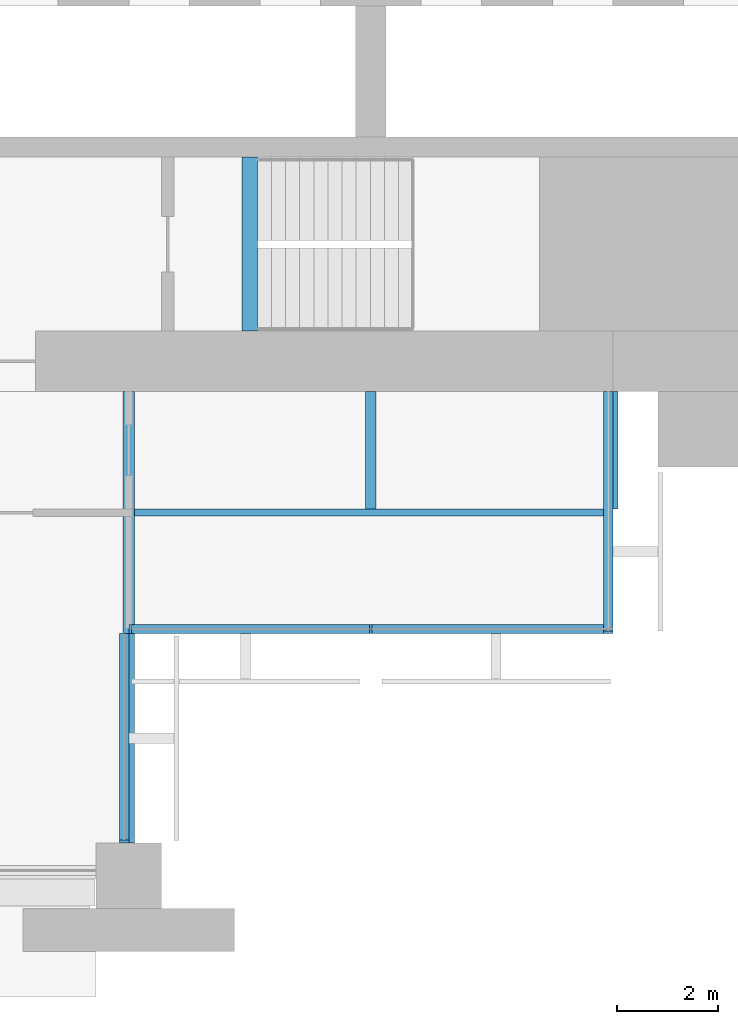
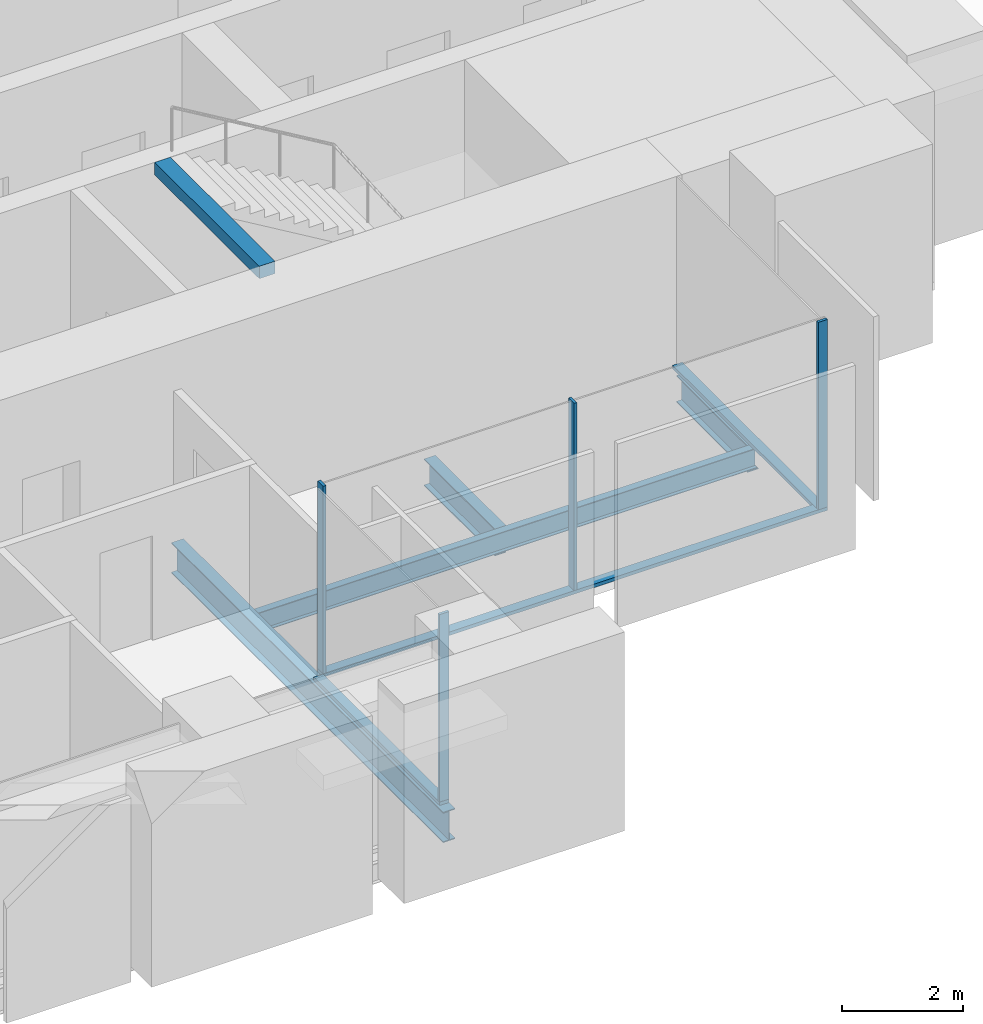
# One storey, part 4 of 15: 7 members, 5 beams, 3 elements without a shape of their own.
"""IFC4 building model written with IfcOpenShell, lengths in metres."""

import ifcopenshell
import ifcopenshell.guid

model = None  # the IFC model being written
_history = None  # IfcOwnerHistory: only IFC2X3 demands one
_inside = {}  # id of a spatial element -> (the spatial element, [elements in it])
_under = {}  # id of a project, library or spatial element -> (it, [spatial elements below it])
_declared = {}  # id of a project -> (the project, [libraries it declares])
_typed = {}  # id of a type object -> (the type object, [elements of that type])
_made_of = {}  # id of a material, layer set ... -> (it, [elements and type objects made of it])


def new_model(schema):
    """Start an empty IFC model of exactly this schema.

    Asked for "IFC4X3", IfcOpenShell would pick the latest addendum, in which some entities
    have other attributes; the version numbers below select the first issue.
    IFC2X3 requires an IfcOwnerHistory on every rooted entity: one is made here for all.
    """
    global model, _history
    if schema == "IFC4X3":
        model = ifcopenshell.file(schema_version=(4, 3, 0, 0))
    else:
        model = ifcopenshell.file(schema=schema)
    _inside.clear()
    _under.clear()
    _declared.clear()
    _typed.clear()
    _made_of.clear()
    _history = None
    if model.schema == "IFC2X3":
        org = make("IfcOrganization", Name="unknown")
        user = make(
            "IfcPersonAndOrganization",
            ThePerson=make("IfcPerson", FamilyName="unknown"),
            TheOrganization=org,
        )
        app = make(
            "IfcApplication",
            ApplicationDeveloper=org,
            Version="unknown",
            ApplicationFullName="unknown",
            ApplicationIdentifier="unknown",
        )
        _history = make(
            "IfcOwnerHistory",
            OwningUser=user,
            OwningApplication=app,
            ChangeAction="ADDED",
            CreationDate=0,
        )
    return model


def make(cls, **values):
    """One entity of the class cls with the attributes given. An attribute that is None is left unset."""
    return model.create_entity(
        cls, **{name: value for name, value in values.items() if value is not None}
    )


def rooted(cls, **values):
    """An entity with a GlobalId (a new one), such as an element, a storey or a relation."""
    return make(cls, GlobalId=ifcopenshell.guid.new(), OwnerHistory=_history, **values)


def si_unit(unit_type, name, prefix=None):
    """IfcSIUnit, for example si_unit("LENGTHUNIT", "METRE", prefix="MILLI")."""
    return make("IfcSIUnit", UnitType=unit_type, Prefix=prefix, Name=name)


def assignment(units):
    """IfcUnitAssignment: the units of a project."""
    return None if units is None else make("IfcUnitAssignment", Units=units)


def point(xyz):
    """IfcCartesianPoint."""
    return None if xyz is None else make("IfcCartesianPoint", Coordinates=xyz)


def direction(xyz):
    """IfcDirection."""
    return None if xyz is None else make("IfcDirection", DirectionRatios=xyz)


def frame(location, z_axis=None, x_axis=None):
    """IfcAxis2Placement3D, a coordinate frame: its origin and axes. An axis left out is left unset."""
    return make(
        "IfcAxis2Placement3D",
        Location=point(location),
        Axis=direction(z_axis),
        RefDirection=direction(x_axis),
    )


def frame_2d(location, x_axis=None):
    """IfcAxis2Placement2D, a coordinate frame in the plane: its origin and x axis."""
    return make(
        "IfcAxis2Placement2D", Location=point(location), RefDirection=direction(x_axis)
    )


def origin():
    """The frame at (0, 0, 0) with its axes left unset."""
    return frame((0.0, 0.0, 0.0))


def origin_2d():
    """The frame at (0, 0) in the plane with its x axis left unset."""
    return frame_2d((0.0, 0.0))


def place(relative_to, where):
    """IfcLocalPlacement: puts the frame where relative to a parent placement (None: the world)."""
    return make(
        "IfcLocalPlacement", PlacementRelTo=relative_to, RelativePlacement=where
    )


def context(
    kind, dimensions, precision=None, world=None, true_north=None, identifier=None
):
    """IfcGeometricRepresentationContext, for example the 3D "Model" context."""
    return make(
        "IfcGeometricRepresentationContext",
        ContextIdentifier=identifier,
        ContextType=kind,
        CoordinateSpaceDimension=dimensions,
        Precision=precision,
        WorldCoordinateSystem=world,
        TrueNorth=true_north,
    )


def subcontext(parent, identifier, kind, view, scale=None):
    """IfcGeometricRepresentationSubContext, for example "Body" below "Model"."""
    return make(
        "IfcGeometricRepresentationSubContext",
        ContextIdentifier=identifier,
        ContextType=kind,
        ParentContext=parent,
        TargetScale=scale,
        TargetView=view,
    )


def project(units=None, contexts=None):
    """IfcProject with its units and contexts."""
    return rooted(
        "IfcProject",
        Name="project",
        RepresentationContexts=contexts,
        UnitsInContext=assignment(units),
    )


def spatial(cls, under=None, at=None, **own):
    """A site, building, storey or space (cls), placed at a placement, below another one or the project."""
    s = rooted(cls, ObjectPlacement=at, **own)
    if under is not None:
        _under.setdefault(under.id(), (under, []))[1].append(s)
    return s


def profile(cls, at=None, kind="AREA", **sizes):
    """A parametric profile (cls). Its sizes go by their IFC names, for example OverallWidth=200.0."""
    return make(cls, ProfileType=kind, Position=at, **sizes)


def rectangle(**sizes):
    """IfcRectangleProfileDef."""
    return profile("IfcRectangleProfileDef", **sizes)


def i_section(**sizes):
    """IfcIShapeProfileDef."""
    return profile("IfcIShapeProfileDef", **sizes)


def extrude(swept, where, along, depth):
    """IfcExtrudedAreaSolid: the profile swept, set in the frame where, extruded along a direction by depth."""
    return make(
        "IfcExtrudedAreaSolid",
        SweptArea=swept,
        Position=where,
        ExtrudedDirection=direction(along),
        Depth=depth,
    )


def shape(context_of_items, identifier, shape_type, items):
    """IfcShapeRepresentation: the items that make up one representation, for example the "Body"."""
    return make(
        "IfcShapeRepresentation",
        ContextOfItems=context_of_items,
        RepresentationIdentifier=identifier,
        RepresentationType=shape_type,
        Items=items,
    )


def material(Name=None, Category=None):
    """IfcMaterial."""
    return make("IfcMaterial", Name=Name, Category=Category)


def material_profile(
    of_material, cross_section, Name=None, Category=None, Priority=None
):
    """IfcMaterialProfile: a cross section and its material."""
    return make(
        "IfcMaterialProfile",
        Name=Name,
        Material=of_material,
        Profile=cross_section,
        Priority=Priority,
        Category=Category,
    )


def profile_set(profiles, Name=None, composite=None):
    """IfcMaterialProfileSet."""
    return make(
        "IfcMaterialProfileSet",
        Name=Name,
        MaterialProfiles=profiles,
        CompositeProfile=composite,
    )


def made_of(thing, what):
    """Note that an element or type object is made of a material, layer set ...; save() writes the relation."""
    if what is not None:
        _made_of.setdefault(what.id(), (what, []))[1].append(thing)
    return thing


def type_object(cls, material=None, **own):
    """A type object (cls), such as IfcWallType, which elements share."""
    return made_of(rooted(cls, **own), material)


def element(
    cls,
    number,
    at=None,
    inside=None,
    cuts=None,
    type_object=None,
    material=None,
    context=None,
    identifier="Body",
    shape_type=None,
    held_by="IfcProductDefinitionShape",
    body=None,
    shapes=None,
    **own,
):
    """One element of the class cls, such as IfcWall. Its Tag is "e" and its number.

    at: its placement. inside: the storey or other place that contains it. cuts: it is an
    opening in that element (IfcRelVoidsElement). A single representation is given by context,
    identifier, shape_type and body (its items); several are given by shapes. held_by: the class
    of the entity that holds the representations. save() writes the other relations.
    """
    e = rooted(cls, Tag="e%d" % number, ObjectPlacement=at, **own)
    if body is not None:
        shapes = [shape(context, identifier, shape_type, body)]
    if shapes is not None:
        e.Representation = make(held_by, Representations=shapes)
    if inside is not None:
        _inside.setdefault(inside.id(), (inside, []))[1].append(e)
    if cuts is not None:
        rooted(
            "IfcRelVoidsElement", RelatingBuildingElement=cuts, RelatedOpeningElement=e
        )
    if type_object is not None:
        _typed.setdefault(type_object.id(), (type_object, []))[1].append(e)
    return made_of(e, material)


def aggregate(whole, parts):
    """IfcRelAggregates: a whole, such as a stair, and the parts it consists of."""
    return rooted("IfcRelAggregates", RelatingObject=whole, RelatedObjects=parts)


def save(model, path):
    """Write the relations noted so far, then the file.

    IfcRelAggregates (storeys below a building ...), IfcRelContainedInSpatialStructure (elements
    in a storey), IfcRelDefinesByType, IfcRelAssociatesMaterial and IfcRelDeclares: one each for
    every whole, place, type object, material and project.
    """
    for whole, parts in _under.values():
        aggregate(whole, parts)
    for where, things in _inside.values():
        rooted(
            "IfcRelContainedInSpatialStructure",
            RelatedElements=things,
            RelatingStructure=where,
        )
    for kind, things in _typed.values():
        rooted("IfcRelDefinesByType", RelatedObjects=things, RelatingType=kind)
    for what, things in _made_of.values():
        rooted("IfcRelAssociatesMaterial", RelatedObjects=things, RelatingMaterial=what)
    for by, libraries in _declared.values():
        rooted("IfcRelDeclares", RelatingContext=by, RelatedDefinitions=libraries)
    model.write(path)


model = new_model("IFC4")

# Units and contexts
model_context = context("Model", 3, precision=1e-05, world=origin(), true_north=direction((0.0, 1.0)))
body_context = subcontext(model_context, "Body", "Model", "MODEL_VIEW")
ifc_project = project(units=[si_unit("LENGTHUNIT", "METRE"), si_unit("AREAUNIT", "SQUARE_METRE"), si_unit("VOLUMEUNIT", "CUBIC_METRE"), si_unit("PLANEANGLEUNIT", "RADIAN"), si_unit("MASSUNIT", "GRAM", prefix="KILO")], contexts=[model_context])

# Site, building, storey
site_placement = place(None, origin())
site = spatial("IfcSite", under=ifc_project, at=site_placement, CompositionType="ELEMENT")
building_placement = place(site_placement, origin())
building = spatial("IfcBuilding", under=site, at=building_placement, Name="Baori Bourse Tower", CompositionType="ELEMENT")
storey_placement = place(building_placement, frame((0.0, 0.0, 71.0)))
storey = spatial("IfcBuildingStorey", under=building, at=storey_placement, Name="L15", CompositionType="ELEMENT", Elevation=71.0)

# Curtain wall, member
ifc_material_1 = material(Name="Pale anodised aluminium", Category="aluminium")
curtain_wall_type = type_object("IfcCurtainWallType", Name="CW2 Curtain wall", PredefinedType="NOTDEFINED", material=ifc_material_1)
curtain_wall_1_placement = place(storey_placement, origin())
curtain_wall_1 = element("IfcCurtainWall", 1, at=curtain_wall_1_placement, inside=storey, type_object=curtain_wall_type, Name="Curtain wall CW2 L15 16", PredefinedType="NOTDEFINED")
ifc_material_2 = material(Name="Pale anodised aluminium", Category="aluminium")
ifc_material_profile_1 = material_profile(ifc_material_2, rectangle(XDim=0.179931640625, YDim=0.054931640625, at=origin_2d()), Name="Mullion 55x180")
ifc_profile_set_1 = profile_set([ifc_material_profile_1], Name="Pale anodised aluminium")
member_type_1 = type_object("IfcMemberType", Name="CW2 Curtain wall mullion", PredefinedType="MULLION", material=ifc_profile_set_1)
member_1_placement = place(storey_placement, frame((43.110107421875, 0.677490234375, 0.070068359375), z_axis=(0.0, 0.0, 1.0), x_axis=(-1.0, 0.0, 0.0)))
member_1 = element("IfcMember", 2, at=member_1_placement, type_object=member_type_1, Name="Curtain wall CW2 mullion", PredefinedType="MULLION", context=body_context, shape_type="SweptSolid", body=[
    extrude(rectangle(XDim=0.179931640625, YDim=0.054931640625, at=origin_2d()), origin(), (0.0, 0.0, 1.0), 3.77001953125),
])

# Curtain wall, members
curtain_wall_2_placement = place(storey_placement, origin())
curtain_wall_2 = element("IfcCurtainWall", 3, at=curtain_wall_2_placement, inside=storey, type_object=curtain_wall_type, Name="Curtain wall CW2 L15 17", PredefinedType="NOTDEFINED")
member_2_placement = place(storey_placement, frame((43.2275390625, 4.889892578125, 0.070068359375), z_axis=(0.0, 0.0, 1.0), x_axis=(0.0, 1.0, 0.0)))
member_2 = element("IfcMember", 4, at=member_2_placement, type_object=member_type_1, Name="Curtain wall CW2 mullion", PredefinedType="MULLION", context=body_context, shape_type="SweptSolid", body=[
    extrude(rectangle(XDim=0.179931640625, YDim=0.054931640625, at=origin_2d()), origin(), (0.0, 0.0, 1.0), 3.77001953125),
])
member_3_placement = place(storey_placement, frame((48.0, 4.889892578125, 0.070068359375), z_axis=(0.0, 0.0, 1.0), x_axis=(0.0, 1.0, 0.0)))
member_3 = element("IfcMember", 5, at=member_3_placement, type_object=member_type_1, Name="Curtain wall CW2 mullion", PredefinedType="MULLION", context=body_context, shape_type="SweptSolid", body=[
    extrude(rectangle(XDim=0.179931640625, YDim=0.054931640625, at=origin_2d()), origin(), (0.0, 0.0, 1.0), 3.77001953125),
])

# Curtain wall, member
curtain_wall_3_placement = place(storey_placement, origin())
curtain_wall_3 = element("IfcCurtainWall", 6, at=curtain_wall_3_placement, inside=storey, type_object=curtain_wall_type, Name="Curtain wall CW2 L15 18", PredefinedType="NOTDEFINED")
member_4_placement = place(storey_placement, frame((52.7099609375, 4.827392578125, 0.070068359375), z_axis=(0.0, 0.0, 1.0), x_axis=(-1.0, 0.0, 0.0)))
member_4 = element("IfcMember", 7, at=member_4_placement, type_object=member_type_1, Name="Curtain wall CW2 mullion", PredefinedType="MULLION", context=body_context, shape_type="SweptSolid", body=[
    extrude(rectangle(XDim=0.179931640625, YDim=0.054931640625, at=origin_2d()), origin(), (0.0, 0.0, 1.0), 3.77001953125),
])

# Member
ifc_material_3 = material(Name="Pale anodised aluminium", Category="aluminium")
ifc_material_profile_2 = material_profile(ifc_material_3, rectangle(XDim=0.179931640625, YDim=0.070068359375, at=origin_2d()), Name="Transom 70x180")
ifc_profile_set_2 = profile_set([ifc_material_profile_2], Name="Pale anodised aluminium")
member_type_2 = type_object("IfcMemberType", Name="CW2 Curtain wall transom", PredefinedType="USERDEFINED", material=ifc_profile_set_2)
member_5_placement = place(storey_placement, frame((43.110107421875, 0.64990234375, 0.034912109375), z_axis=(0.0, 1.0, 0.0), x_axis=(-1.0, 0.0, 0.0)))
member_5 = element("IfcMember", 8, at=member_5_placement, type_object=member_type_2, Name="Curtain wall CW2 sill rail", ObjectType="TRANSOM", PredefinedType="USERDEFINED", context=body_context, shape_type="SweptSolid", body=[
    extrude(rectangle(XDim=0.179931640625, YDim=0.070068359375, at=origin_2d()), origin(), (0.0, 0.0, 1.0), 4.150146484375),
])

aggregate(curtain_wall_1, [member_5, member_1])

member_6_placement = place(storey_placement, frame((43.199951171875, 4.889892578125, 0.034912109375), z_axis=(1.0, 0.0, 0.0), x_axis=(0.0, 1.0, 0.0)))
member_6 = element("IfcMember", 9, at=member_6_placement, type_object=member_type_2, Name="Curtain wall CW2 sill rail", ObjectType="TRANSOM", PredefinedType="USERDEFINED", context=body_context, shape_type="SweptSolid", body=[
    extrude(rectangle(XDim=0.179931640625, YDim=0.070068359375, at=origin_2d()), origin(), (0.0, 0.0, 1.0), 9.60009765625),
])

aggregate(curtain_wall_2, [member_6, member_2, member_3])

member_7_placement = place(storey_placement, frame((52.7099609375, 4.800048828125, 0.034912109375), z_axis=(0.0, 1.0, 0.0), x_axis=(-1.0, 0.0, 0.0)))
member_7 = element("IfcMember", 10, at=member_7_placement, type_object=member_type_2, Name="Curtain wall CW2 sill rail", ObjectType="TRANSOM", PredefinedType="USERDEFINED", context=body_context, shape_type="SweptSolid", body=[
    extrude(rectangle(XDim=0.179931640625, YDim=0.070068359375, at=origin_2d()), origin(), (0.0, 0.0, 1.0), 4.800048828125),
])

aggregate(curtain_wall_3, [member_7, member_4])

# Beams
ifc_material_4 = material(Name="Steel A992 Gr 50", Category="steel")
ifc_material_profile_3 = material_profile(ifc_material_4, i_section(OverallWidth=0.21240234375, OverallDepth=0.54345703125, WebThickness=0.01318359375, FlangeThickness=0.021240234375, at=origin_2d()), Name="W21x83")
ifc_profile_set_3 = profile_set([ifc_material_profile_3], Name="Steel A992 Gr 50")
beam_type_1 = type_object("IfcBeamType", Name="Core bracket W21x83", PredefinedType="BEAM", material=ifc_profile_set_3)
for number, where, z_axis, x_axis, name in (
    (11, (48.0, 7.270263671875, -0.431884765625), (0.0, 1.0, 0.0), (-1.0, 0.0, 0.0), "Core bracket L15"),
    (12, (52.800048828125, 7.270263671875, -0.431884765625), (0.0, 1.0, 0.0), (-1.0, 0.0, 0.0), "Core bracket L15"),
):
    element("IfcBeam", number, at=place(storey_placement, frame(where, z_axis=z_axis, x_axis=x_axis)), inside=storey, type_object=beam_type_1, Name=name, PredefinedType="BEAM", context=body_context, shape_type="SweptSolid", body=[
        extrude(i_section(OverallWidth=0.21240234375, OverallDepth=0.54345703125, WebThickness=0.01318359375, FlangeThickness=0.021240234375, at=origin_2d()), origin(), (0.0, 0.0, 1.0), 2.329833984375),
    ])
ifc_material_5 = material(Name="Steel A992 Gr 50", Category="steel")
ifc_material_profile_4 = material_profile(ifc_material_5, i_section(OverallWidth=0.22900390625, OverallDepth=0.612060546875, WebThickness=0.011962890625, FlangeThickness=0.01953125, at=origin_2d()), Name="W24x84")
ifc_profile_set_4 = profile_set([ifc_material_profile_4], Name="Steel A992 Gr 50")
beam_type_2 = type_object("IfcBeamType", Name="Floor beam W24x84", PredefinedType="BEAM", material=ifc_profile_set_4)
beam_1_placement = place(storey_placement, frame((43.199951171875, 0.64990234375, -0.466064453125), z_axis=(0.0, 1.0, 0.0), x_axis=(-1.0, 0.0, 0.0)))
element("IfcBeam", 13, at=beam_1_placement, inside=storey, type_object=beam_type_2, Name="Floor beam L15", PredefinedType="BEAM", context=body_context, shape_type="SweptSolid", body=[
    extrude(i_section(OverallWidth=0.22900390625, OverallDepth=0.612060546875, WebThickness=0.011962890625, FlangeThickness=0.01953125, at=origin_2d()), origin(), (0.0, 0.0, 1.0), 8.9501953125),
])
ifc_material_6 = material(Name="Concrete f'c 50 MPa", Category="concrete")
ifc_material_profile_5 = material_profile(ifc_material_6, rectangle(XDim=0.300048828125, YDim=0.25, at=origin_2d()), Name="RC 300x250")
ifc_profile_set_5 = profile_set([ifc_material_profile_5], Name="Concrete f'c 50 MPa")
beam_type_3 = type_object("IfcBeamType", Name="Stair nib beam RC 300x250", PredefinedType="BEAM", material=ifc_profile_set_5)
beam_2_placement = place(storey_placement, frame((45.60009765625, 10.800048828125, 3.715087890625), z_axis=(0.0, 1.0, 0.0), x_axis=(-1.0, 0.0, 0.0)))
element("IfcBeam", 14, at=beam_2_placement, inside=storey, type_object=beam_type_3, Name="Stair EA nib beam L16", PredefinedType="BEAM", context=body_context, shape_type="SweptSolid", body=[
    extrude(rectangle(XDim=0.300048828125, YDim=0.25, at=origin_2d()), origin(), (0.0, 0.0, 1.0), 3.449951171875),
])
ifc_material_7 = material(Name="Steel A992 Gr 50", Category="steel")
ifc_material_profile_6 = material_profile(ifc_material_7, i_section(OverallWidth=0.140380859375, OverallDepth=0.40380859375, WebThickness=0.007080078125, FlangeThickness=0.01123046875, at=origin_2d()), Name="W16x31")
ifc_profile_set_6 = profile_set([ifc_material_profile_6], Name="Steel A992 Gr 50")
beam_type_4 = type_object("IfcBeamType", Name="Trimmer beam W16x31", PredefinedType="BEAM", material=ifc_profile_set_6)
beam_3_placement = place(storey_placement, frame((43.314453125, 7.199951171875, -0.36181640625), z_axis=(1.0, 0.0, 0.0), x_axis=(0.0, 1.0, 0.0)))
element("IfcBeam", 15, at=beam_3_placement, inside=storey, type_object=beam_type_4, Name="Trimmer beam L15", PredefinedType="BEAM", context=body_context, shape_type="SweptSolid", body=[
    extrude(i_section(OverallWidth=0.140380859375, OverallDepth=0.40380859375, WebThickness=0.007080078125, FlangeThickness=0.01123046875, at=origin_2d()), origin(), (0.0, 0.0, 1.0), 9.485595703125),
])

save(model, "model.ifc")
